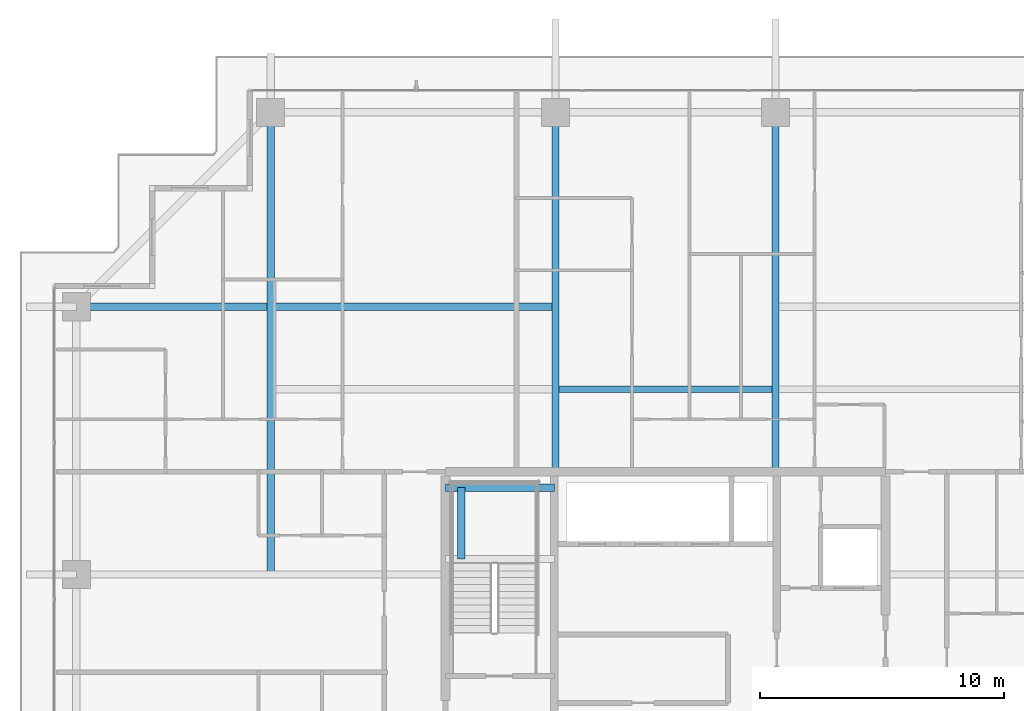
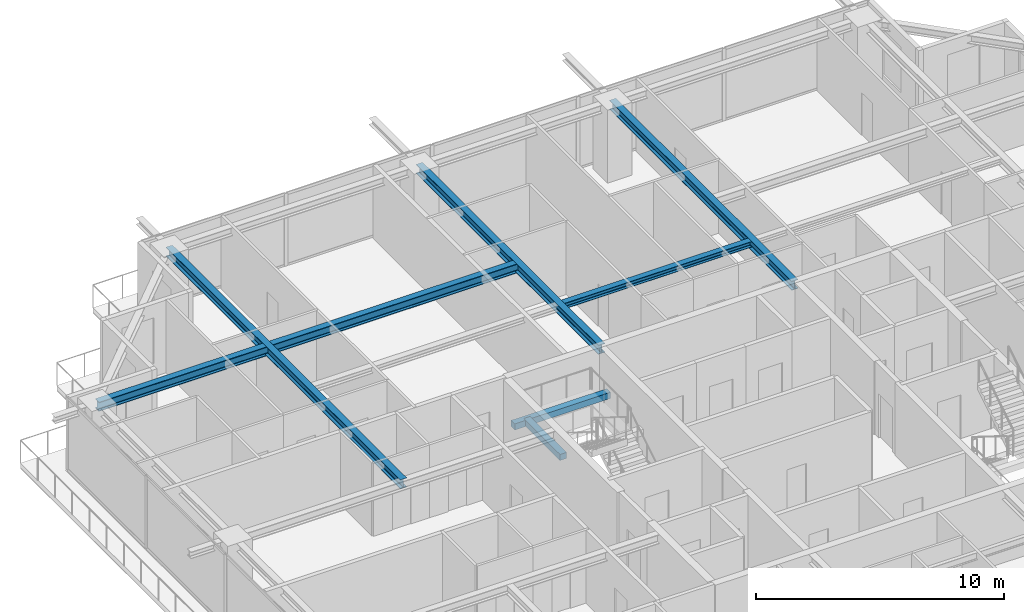
# One storey, part 19 of 38: 7 beams.
"""IFC4 building model written with IfcOpenShell, lengths in metres."""

from ifc_helpers import new_model, si_unit, direction, frame, origin, origin_2d, place, context, subcontext, project, spatial, rectangle, i_section, extrude, source, transform, mapped, material, material_profile, profile_set, type_object, element, save


model = new_model("IFC4")

# Units and contexts
model_context = context("Model", 3, precision=1e-05, world=origin(), true_north=direction((0.0, 1.0)))
body_context = subcontext(model_context, "Body", "Model", "MODEL_VIEW")
ifc_project = project(units=[si_unit("LENGTHUNIT", "METRE"), si_unit("AREAUNIT", "SQUARE_METRE"), si_unit("VOLUMEUNIT", "CUBIC_METRE"), si_unit("PLANEANGLEUNIT", "RADIAN"), si_unit("MASSUNIT", "GRAM", prefix="KILO")], contexts=[model_context])

# Site, building, storey
site_placement = place(None, origin())
site = spatial("IfcSite", under=ifc_project, at=site_placement, CompositionType="ELEMENT")
building_placement = place(site_placement, origin())
building = spatial("IfcBuilding", under=site, at=building_placement, Name="Serunith Strait Residences", CompositionType="ELEMENT")
storey_placement = place(building_placement, frame((0.0, 0.0, 229.699951171875)))
storey = spatial("IfcBuildingStorey", under=building, at=storey_placement, Name="L57", CompositionType="ELEMENT", Elevation=229.699951171875)

# Beams
ifc_material_1 = material(Name="Steel S355J2", Category="steel")
ifc_material_profile_1 = material_profile(ifc_material_1, i_section(OverallWidth=0.280029296875, OverallDepth=0.280029296875, WebThickness=0.010498046875, FlangeThickness=0.01806640625, FilletRadius=0.02392578125, at=origin_2d()), Name="HEB 280")
ifc_profile_set_1 = profile_set([ifc_material_profile_1], Name="Steel S355J2")
beam_type_1 = type_object("IfcBeamType", Name="BM-HEB280", PredefinedType="JOIST", material=ifc_profile_set_1)
shared_shape_1 = source(origin(), body_context, "Body", "SweptSolid", [
    extrude(i_section(OverallWidth=0.280029296875, OverallDepth=0.280029296875, WebThickness=0.010498046875, FlangeThickness=0.01806640625, FilletRadius=0.02392578125, at=origin_2d()), origin(), (0.0, 0.0, 1.0), 8.699951171875),
])
beam_1_placement = place(storey_placement, frame((28.050048828125, 36.97509765625, 3.447021484375), z_axis=(1.0, 0.0, 0.0), x_axis=(0.0, 1.0, 0.0)))
element("IfcBeam", 1, at=beam_1_placement, inside=storey, type_object=beam_type_1, Name="L57 Composite Floor Joist 05", PredefinedType="JOIST", context=body_context, shape_type="MappedRepresentation", body=[
    mapped(shared_shape_1, transform((0.0, 0.0, 0.0), scale=1.0)),
])
ifc_material_profile_2 = material_profile(ifc_material_1, i_section(OverallWidth=0.300048828125, OverallDepth=0.449951171875, WebThickness=0.013916015625, FlangeThickness=0.02587890625, FilletRadius=0.027099609375, at=origin_2d()), Name="HEB 450")
ifc_profile_set_2 = profile_set([ifc_material_profile_2], Name="Steel S355J2")
beam_type_2 = type_object("IfcBeamType", Name="BM-HEB450", PredefinedType="BEAM", material=ifc_profile_set_2)
shared_shape_2 = source(origin(), body_context, "Body", "SweptSolid", [
    extrude(i_section(OverallWidth=0.300048828125, OverallDepth=0.449951171875, WebThickness=0.013916015625, FlangeThickness=0.02587890625, FilletRadius=0.027099609375, at=origin_2d()), origin(), (0.0, 0.0, 1.0), 14.699951171875),
])
for number, where, z_axis, x_axis, name in (
    (2, (27.89990234375, 33.60009765625, 3.362060546875), (0.0, 1.0, 0.0), (-1.0, 0.0, 0.0), "L57 Primary Floor Girder TC-N2"),
    (3, (36.89990234375, 33.60009765625, 3.362060546875), (0.0, 1.0, 0.0), (-1.0, 0.0, 0.0), "L57 Primary Floor Girder TC-N3"),
):
    element("IfcBeam", number, at=place(storey_placement, frame(where, z_axis=z_axis, x_axis=x_axis)), inside=storey, type_object=beam_type_2, Name=name, PredefinedType="BEAM", context=body_context, shape_type="MappedRepresentation", body=[
        mapped(shared_shape_2, transform((0.0, 0.0, 0.0), scale=1.0)),
    ])
shared_shape_3 = source(origin(), body_context, "Body", "SweptSolid", [
    extrude(i_section(OverallWidth=0.300048828125, OverallDepth=0.449951171875, WebThickness=0.013916015625, FlangeThickness=0.02587890625, FilletRadius=0.027099609375, at=origin_2d()), origin(), (0.0, 0.0, 1.0), 18.900146484375),
])
beam_2_placement = place(storey_placement, frame((16.25, 29.39990234375, 3.362060546875), z_axis=(0.0, 1.0, 0.0), x_axis=(-1.0, 0.0, 0.0)))
element("IfcBeam", 4, at=beam_2_placement, inside=storey, type_object=beam_type_2, Name="L57 Orthogonal Corner Girder TC-N1", PredefinedType="BEAM", context=body_context, shape_type="MappedRepresentation", body=[
    mapped(shared_shape_3, transform((0.0, 0.0, 0.0), scale=1.0)),
])
shared_shape_4 = source(origin(), body_context, "Body", "SweptSolid", [
    extrude(i_section(OverallWidth=0.300048828125, OverallDepth=0.449951171875, WebThickness=0.013916015625, FlangeThickness=0.02587890625, FilletRadius=0.027099609375, at=origin_2d()), origin(), (0.0, 0.0, 1.0), 19.599853515625),
])
beam_3_placement = place(storey_placement, frame((27.89990234375, 40.35009765625, 3.362060546875), z_axis=(-1.0, 0.0, 0.0), x_axis=(0.0, -1.0, 0.0)))
element("IfcBeam", 5, at=beam_3_placement, inside=storey, type_object=beam_type_2, Name="L57 Orthogonal Corner Girder TC-W4", PredefinedType="BEAM", context=body_context, shape_type="MappedRepresentation", body=[
    mapped(shared_shape_4, transform((0.0, 0.0, 0.0), scale=1.0)),
])
ifc_material_2 = material(Name="Concrete C60/75", Category="concrete")
ifc_material_profile_3 = material_profile(ifc_material_2, rectangle(XDim=0.300048828125, YDim=0.300048828125, at=origin_2d()), Name="RC 300x300")
ifc_profile_set_3 = profile_set([ifc_material_profile_3], Name="Concrete C60/75")
beam_type_3 = type_object("IfcBeamType", Name="BM-LAND-300x300", PredefinedType="BEAM", material=ifc_profile_set_3)
shared_shape_5 = source(origin(), body_context, "Body", "SweptSolid", [
    extrude(rectangle(XDim=0.300048828125, YDim=0.300048828125, at=origin_2d()), origin(), (0.0, 0.0, 1.0), 4.4501953125),
])
beam_4_placement = place(storey_placement, frame((23.39990234375, 32.949951171875, 1.574951171875), z_axis=(1.0, 0.0, 0.0), x_axis=(0.0, 1.0, 0.0)))
element("IfcBeam", 6, at=beam_4_placement, inside=storey, type_object=beam_type_3, Name="L57 ST-1 Landing Support Beam 2", PredefinedType="BEAM", context=body_context, shape_type="MappedRepresentation", body=[
    mapped(shared_shape_5, transform((0.0, 0.0, 0.0), scale=1.0)),
])
shared_shape_6 = source(origin(), body_context, "Body", "SweptSolid", [
    extrude(rectangle(XDim=0.300048828125, YDim=0.300048828125, at=origin_2d()), origin(), (0.0, 0.0, 1.0), 2.919921875),
])
beam_5_placement = place(storey_placement, frame((24.050048828125, 30.030029296875, 1.574951171875), z_axis=(0.0, 1.0, 0.0), x_axis=(-1.0, 0.0, 0.0)))
element("IfcBeam", 7, at=beam_5_placement, inside=storey, type_object=beam_type_3, Name="L57 ST-1 Landing Transverse Tie Beam", PredefinedType="BEAM", context=body_context, shape_type="MappedRepresentation", body=[
    mapped(shared_shape_6, transform((0.0, 0.0, 0.0), scale=1.0)),
])

save(model, "model.ifc")
